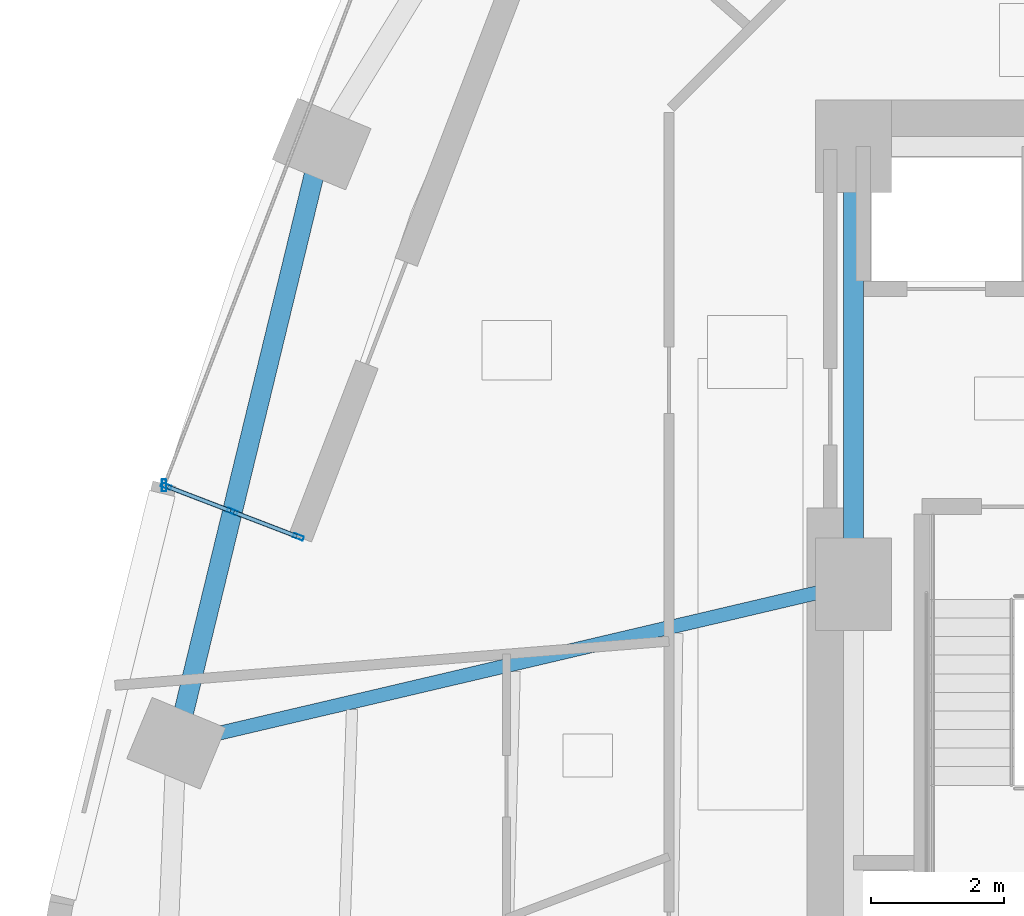
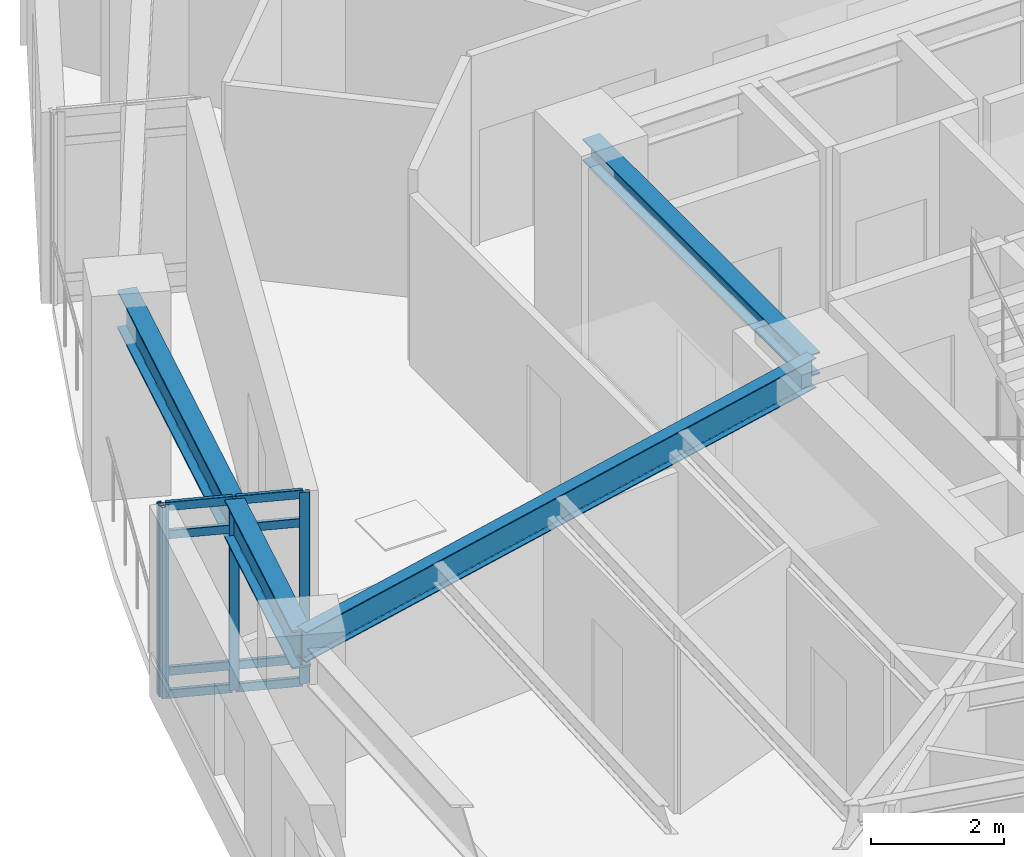
# One storey, part 2 of 12: 12 members, 3 beams, 1 element without a shape of its own.
"""IFC4 building model written with IfcOpenShell, lengths in metres."""

from ifc_helpers import new_model, si_unit, direction, frame, origin, origin_2d, place, context, subcontext, project, spatial, hollow_rectangle, i_section, extrude, material, layer, layer_set, material_profile, profile_set, type_object, element, aggregate, save


model = new_model("IFC4")

# Units and contexts
model_context = context("Model", 3, precision=1e-05, world=origin(), true_north=direction((0.0, 1.0)))
body_context = subcontext(model_context, "Body", "Model", "MODEL_VIEW")
ifc_project = project(units=[si_unit("LENGTHUNIT", "METRE"), si_unit("AREAUNIT", "SQUARE_METRE"), si_unit("VOLUMEUNIT", "CUBIC_METRE"), si_unit("PLANEANGLEUNIT", "RADIAN"), si_unit("MASSUNIT", "GRAM", prefix="KILO")], contexts=[model_context])

# Site, building, storey
site_placement = place(None, origin())
site = spatial("IfcSite", under=ifc_project, at=site_placement, CompositionType="ELEMENT")
building_placement = place(site_placement, origin())
building = spatial("IfcBuilding", under=site, at=building_placement, Name="Ndelora Gate Hotel", CompositionType="ELEMENT")
storey_placement = place(building_placement, frame((0.0, 0.0, 60.5)))
storey = spatial("IfcBuildingStorey", under=building, at=storey_placement, Name="L14", CompositionType="ELEMENT", Elevation=60.5)

# Beams
ifc_material_1 = material(Name="Steel S355", Category="steel")
ifc_material_profile_1 = material_profile(ifc_material_1, i_section(OverallWidth=0.300048828125, OverallDepth=0.39990234375, WebThickness=0.013427734375, FlangeThickness=0.02392578125, FilletRadius=0.027099609375, at=origin_2d()), Name="HEB 400")
ifc_profile_set_1 = profile_set([ifc_material_profile_1], Name="Steel S355")
beam_type_1 = type_object("IfcBeamType", Name="BM-CORE-400", PredefinedType="BEAM", material=ifc_profile_set_1)
beam_1_placement = place(storey_placement, frame((-8.0, 0.0, 3.300048828125), z_axis=(0.0, 1.0, 0.0), x_axis=(-1.0, 0.0, 0.0)))
element("IfcBeam", 1, at=beam_1_placement, inside=storey, type_object=beam_type_1, Name="L14 Core Tie Girder CC8-CC7", PredefinedType="BEAM", context=body_context, shape_type="SweptSolid", body=[
    extrude(i_section(OverallWidth=0.300048828125, OverallDepth=0.39990234375, WebThickness=0.013427734375, FlangeThickness=0.02392578125, FilletRadius=0.027099609375, at=origin_2d()), origin(), (0.0, 0.0, 1.0), 6.60009765625),
])
ifc_material_profile_2 = material_profile(ifc_material_1, i_section(OverallWidth=0.2099609375, OverallDepth=0.550048828125, WebThickness=0.010986328125, FlangeThickness=0.01708984375, FilletRadius=0.02392578125, at=origin_2d()), Name="IPE 550")
ifc_profile_set_2 = profile_set([ifc_material_profile_2], Name="Steel S355")
beam_type_2 = type_object("IfcBeamType", Name="BM-RAD-550", PredefinedType="BEAM", material=ifc_profile_set_2)
beam_2_placement = place(storey_placement, frame((-8.0, 0.0, 3.22509765625), z_axis=(-0.973517848051, -0.22861102232, 0.0), x_axis=(0.22861102232, -0.973517848051, 0.0)))
element("IfcBeam", 2, at=beam_2_placement, inside=storey, type_object=beam_type_2, Name="L14 Radial Floor Girder 4", PredefinedType="BEAM", context=body_context, shape_type="SweptSolid", body=[
    extrude(i_section(OverallWidth=0.2099609375, OverallDepth=0.550048828125, WebThickness=0.010986328125, FlangeThickness=0.01708984375, FilletRadius=0.02392578125, at=origin_2d()), origin(), (0.0, 0.0, 1.0), 10.48486328125),
])
ifc_material_profile_3 = material_profile(ifc_material_1, i_section(OverallWidth=0.300048828125, OverallDepth=0.699951171875, WebThickness=0.01708984375, FlangeThickness=0.031982421875, FilletRadius=0.027099609375, at=origin_2d()), Name="HEB 700")
ifc_profile_set_3 = profile_set([ifc_material_profile_3], Name="Steel S355")
beam_type_3 = type_object("IfcBeamType", Name="BM-RING-700", PredefinedType="SPANDREL", material=ifc_profile_set_3)
beam_3_placement = place(storey_placement, frame((-16.016845703125, 6.634521484375, 3.14990234375), z_axis=(-0.235699273714, -0.971826040179, 0.0), x_axis=(0.971826040179, -0.235699273714, 0.0)))
element("IfcBeam", 3, at=beam_3_placement, inside=storey, type_object=beam_type_3, Name="L14 Perimeter Spandrel Girder 3", PredefinedType="SPANDREL", context=body_context, shape_type="SweptSolid", body=[
    extrude(i_section(OverallWidth=0.300048828125, OverallDepth=0.699951171875, WebThickness=0.01708984375, FlangeThickness=0.031982421875, FilletRadius=0.027099609375, at=origin_2d()), origin(), (0.0, 0.0, 1.0), 9.293212890625),
])

# Curtain wall, members
ifc_material_2 = material(Name="Bronze Anodised Unitised Aluminium and Low-E Glass", Category="aluminium")
ifc_layer = layer(ifc_material_2, 0.199951171875)
ifc_layer_set = layer_set([ifc_layer], Name="Bronze Anodised Unitised Aluminium and Low-E Glass")
curtain_wall_type = type_object("IfcCurtainWallType", Name="CW-SYS-3", PredefinedType="NOTDEFINED", material=ifc_layer_set)
curtain_wall_placement = place(storey_placement, origin())
curtain_wall = element("IfcCurtainWall", 4, at=curtain_wall_placement, inside=storey, type_object=curtain_wall_type, Name="L14 Sky-Garden Loggia Side Curtain Wall CW3-2", PredefinedType="NOTDEFINED")
ifc_material_3 = material(Name="Bronze Anodised Aluminium 6063-T6", Category="aluminium")
ifc_material_profile_4 = material_profile(ifc_material_3, hollow_rectangle(XDim=0.06494140625, YDim=0.159912109375, WallThickness=0.00390625, InnerFilletRadius=0.00390625, OuterFilletRadius=0.008056640625, at=origin_2d()), Name="ALU 160x65x4")
ifc_profile_set_4 = profile_set([ifc_material_profile_4], Name="Bronze Anodised Aluminium 6063-T6")
member_type_1 = type_object("IfcMemberType", Name="MB-CW-MUL150", PredefinedType="MULLION", material=ifc_profile_set_4)
member_1_placement = place(storey_placement, frame((-18.359130859375, 1.4775390625, -0.00390625), z_axis=(0.0, 0.0, 1.0), x_axis=(0.35837589096, 0.933577378035, 0.0)))
member_1 = element("IfcMember", 5, at=member_1_placement, type_object=member_type_1, Name="CW3 mullion 1", PredefinedType="MULLION", context=body_context, shape_type="SweptSolid", body=[
    extrude(hollow_rectangle(XDim=0.06494140625, YDim=0.159912109375, WallThickness=0.00390625, InnerFilletRadius=0.00390625, OuterFilletRadius=0.008056640625, at=origin_2d()), origin(), (0.0, 0.0, 1.0), 3.5078125),
])
member_2_placement = place(storey_placement, frame((-17.362548828125, 1.094970703125, -0.00390625), z_axis=(0.0, 0.0, 1.0), x_axis=(0.35837589096, 0.933577378035, 0.0)))
member_2 = element("IfcMember", 6, at=member_2_placement, type_object=member_type_1, Name="CW3 mullion 2", PredefinedType="MULLION", context=body_context, shape_type="SweptSolid", body=[
    extrude(hollow_rectangle(XDim=0.06494140625, YDim=0.159912109375, WallThickness=0.00390625, InnerFilletRadius=0.00390625, OuterFilletRadius=0.008056640625, at=origin_2d()), origin(), (0.0, 0.0, 1.0), 3.5078125),
])
member_3_placement = place(storey_placement, frame((-16.365966796875, 0.71240234375, -0.00390625), z_axis=(0.0, 0.0, 1.0), x_axis=(0.35837589096, 0.933577378035, 0.0)))
member_3 = element("IfcMember", 7, at=member_3_placement, type_object=member_type_1, Name="CW3 mullion 3", PredefinedType="MULLION", context=body_context, shape_type="SweptSolid", body=[
    extrude(hollow_rectangle(XDim=0.06494140625, YDim=0.159912109375, WallThickness=0.00390625, InnerFilletRadius=0.00390625, OuterFilletRadius=0.008056640625, at=origin_2d()), origin(), (0.0, 0.0, 1.0), 3.5078125),
])
ifc_material_profile_5 = material_profile(ifc_material_3, hollow_rectangle(XDim=0.070068359375, YDim=0.179931640625, WallThickness=0.0048828125, InnerFilletRadius=0.0048828125, OuterFilletRadius=0.010009765625, at=origin_2d()), Name="ALU 180x70x5")
ifc_profile_set_5 = profile_set([ifc_material_profile_5], Name="Bronze Anodised Aluminium 6063-T6")
member_type_2 = type_object("IfcMemberType", Name="MB-CW-MUL180", PredefinedType="MULLION", material=ifc_profile_set_5)
member_4_placement = place(storey_placement, frame((-18.389404296875, 1.489013671875, 0.0), z_axis=(0.0, 0.0, 1.0), x_axis=(1.0, 0.0, 0.0)))
member_4 = element("IfcMember", 8, at=member_4_placement, type_object=member_type_2, Name="L14 Sky-Garden Loggia Corner Mullion Post 2", PredefinedType="MULLION", context=body_context, shape_type="SweptSolid", body=[
    extrude(hollow_rectangle(XDim=0.070068359375, YDim=0.179931640625, WallThickness=0.0048828125, InnerFilletRadius=0.0048828125, OuterFilletRadius=0.010009765625, at=origin_2d()), origin(), (0.0, 0.0, 1.0), 3.5),
])
ifc_material_profile_6 = material_profile(ifc_material_3, hollow_rectangle(XDim=0.06494140625, YDim=0.159912109375, WallThickness=0.00390625, InnerFilletRadius=0.00390625, OuterFilletRadius=0.008056640625, at=origin_2d()), Name="ALU 160x65x4")
ifc_profile_set_6 = profile_set([ifc_material_profile_6], Name="Bronze Anodised Aluminium 6063-T6")
member_type_3 = type_object("IfcMemberType", Name="MB-CW-TRN150", PredefinedType="USERDEFINED", material=ifc_profile_set_6)
member_5_placement = place(storey_placement, frame((-18.33447265625, 1.468017578125, 0.032470703125), z_axis=(0.93358111833, -0.358366147253, 0.0), x_axis=(0.358366147253, 0.93358111833, 0.0)))
member_5 = element("IfcMember", 9, at=member_5_placement, type_object=member_type_3, Name="CW3 transom 1.1", ObjectType="TRANSOM", PredefinedType="USERDEFINED", context=body_context, shape_type="SweptSolid", body=[
    extrude(hollow_rectangle(XDim=0.06494140625, YDim=0.159912109375, WallThickness=0.00390625, InnerFilletRadius=0.00390625, OuterFilletRadius=0.008056640625, at=origin_2d()), origin(), (0.0, 0.0, 1.0), 1.014404296875),
])
member_6_placement = place(storey_placement, frame((-18.33447265625, 1.468017578125, 0.449951171875), z_axis=(0.93358111833, -0.358366147253, 0.0), x_axis=(0.358366147253, 0.93358111833, 0.0)))
member_6 = element("IfcMember", 10, at=member_6_placement, type_object=member_type_3, Name="CW3 transom 1.2", ObjectType="TRANSOM", PredefinedType="USERDEFINED", context=body_context, shape_type="SweptSolid", body=[
    extrude(hollow_rectangle(XDim=0.06494140625, YDim=0.159912109375, WallThickness=0.00390625, InnerFilletRadius=0.00390625, OuterFilletRadius=0.008056640625, at=origin_2d()), origin(), (0.0, 0.0, 1.0), 1.014404296875),
])
member_7_placement = place(storey_placement, frame((-18.33447265625, 1.468017578125, 2.949951171875), z_axis=(0.93358111833, -0.358366147253, 0.0), x_axis=(0.358366147253, 0.93358111833, 0.0)))
member_7 = element("IfcMember", 11, at=member_7_placement, type_object=member_type_3, Name="CW3 transom 1.3", ObjectType="TRANSOM", PredefinedType="USERDEFINED", context=body_context, shape_type="SweptSolid", body=[
    extrude(hollow_rectangle(XDim=0.06494140625, YDim=0.159912109375, WallThickness=0.00390625, InnerFilletRadius=0.00390625, OuterFilletRadius=0.008056640625, at=origin_2d()), origin(), (0.0, 0.0, 1.0), 1.014404296875),
])
member_8_placement = place(storey_placement, frame((-18.33447265625, 1.468017578125, 3.467529296875), z_axis=(0.93358111833, -0.358366147253, 0.0), x_axis=(0.358366147253, 0.93358111833, 0.0)))
member_8 = element("IfcMember", 12, at=member_8_placement, type_object=member_type_3, Name="CW3 transom 1.4", ObjectType="TRANSOM", PredefinedType="USERDEFINED", context=body_context, shape_type="SweptSolid", body=[
    extrude(hollow_rectangle(XDim=0.06494140625, YDim=0.159912109375, WallThickness=0.00390625, InnerFilletRadius=0.00390625, OuterFilletRadius=0.008056640625, at=origin_2d()), origin(), (0.0, 0.0, 1.0), 1.014404296875),
])
member_9_placement = place(storey_placement, frame((-17.337890625, 1.08544921875, 0.032470703125), z_axis=(0.93358111833, -0.358366147253, 0.0), x_axis=(0.358366147253, 0.93358111833, 0.0)))
member_9 = element("IfcMember", 13, at=member_9_placement, type_object=member_type_3, Name="CW3 transom 2.1", ObjectType="TRANSOM", PredefinedType="USERDEFINED", context=body_context, shape_type="SweptSolid", body=[
    extrude(hollow_rectangle(XDim=0.06494140625, YDim=0.159912109375, WallThickness=0.00390625, InnerFilletRadius=0.00390625, OuterFilletRadius=0.008056640625, at=origin_2d()), origin(), (0.0, 0.0, 1.0), 1.014404296875),
])
member_10_placement = place(storey_placement, frame((-17.337890625, 1.08544921875, 0.449951171875), z_axis=(0.93358111833, -0.358366147253, 0.0), x_axis=(0.358366147253, 0.93358111833, 0.0)))
member_10 = element("IfcMember", 14, at=member_10_placement, type_object=member_type_3, Name="CW3 transom 2.2", ObjectType="TRANSOM", PredefinedType="USERDEFINED", context=body_context, shape_type="SweptSolid", body=[
    extrude(hollow_rectangle(XDim=0.06494140625, YDim=0.159912109375, WallThickness=0.00390625, InnerFilletRadius=0.00390625, OuterFilletRadius=0.008056640625, at=origin_2d()), origin(), (0.0, 0.0, 1.0), 1.014404296875),
])
member_11_placement = place(storey_placement, frame((-17.337890625, 1.08544921875, 2.949951171875), z_axis=(0.93358111833, -0.358366147253, 0.0), x_axis=(0.358366147253, 0.93358111833, 0.0)))
member_11 = element("IfcMember", 15, at=member_11_placement, type_object=member_type_3, Name="CW3 transom 2.3", ObjectType="TRANSOM", PredefinedType="USERDEFINED", context=body_context, shape_type="SweptSolid", body=[
    extrude(hollow_rectangle(XDim=0.06494140625, YDim=0.159912109375, WallThickness=0.00390625, InnerFilletRadius=0.00390625, OuterFilletRadius=0.008056640625, at=origin_2d()), origin(), (0.0, 0.0, 1.0), 1.014404296875),
])
member_12_placement = place(storey_placement, frame((-17.337890625, 1.08544921875, 3.467529296875), z_axis=(0.93358111833, -0.358366147253, 0.0), x_axis=(0.358366147253, 0.93358111833, 0.0)))
member_12 = element("IfcMember", 16, at=member_12_placement, type_object=member_type_3, Name="CW3 transom 2.4", ObjectType="TRANSOM", PredefinedType="USERDEFINED", context=body_context, shape_type="SweptSolid", body=[
    extrude(hollow_rectangle(XDim=0.06494140625, YDim=0.159912109375, WallThickness=0.00390625, InnerFilletRadius=0.00390625, OuterFilletRadius=0.008056640625, at=origin_2d()), origin(), (0.0, 0.0, 1.0), 1.014404296875),
])
aggregate(curtain_wall, [member_1, member_2, member_3, member_5, member_6, member_7, member_8, member_9, member_10, member_11, member_12, member_4])

save(model, "model.ifc")
